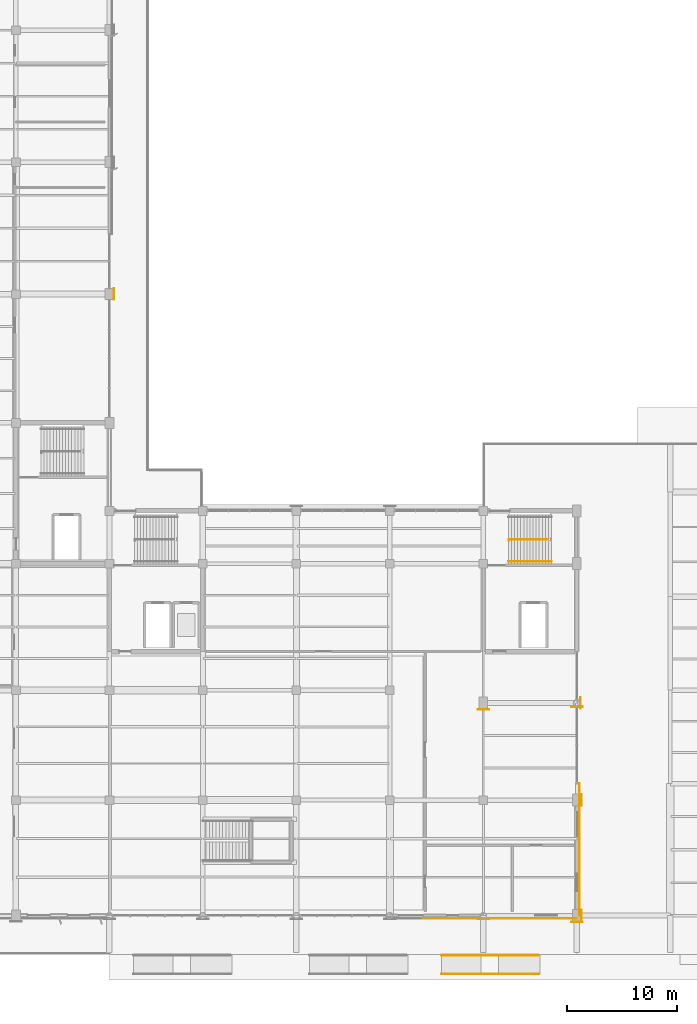
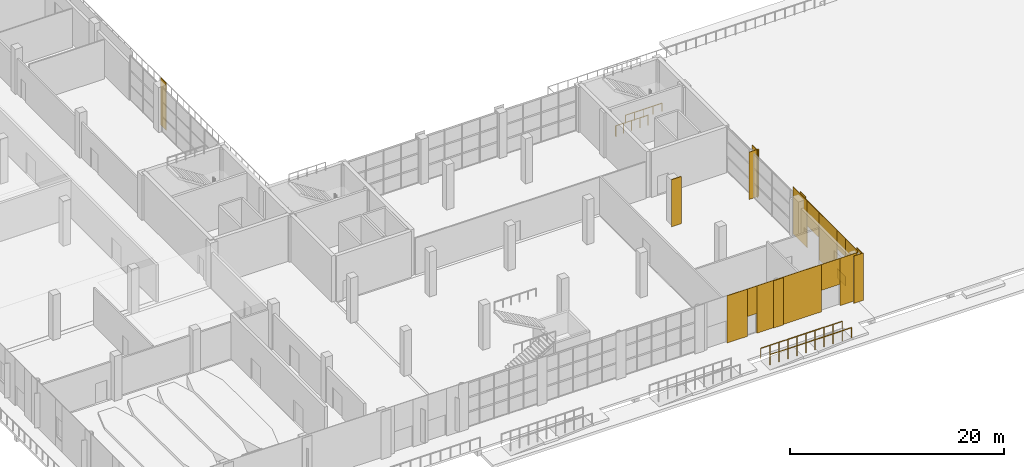
# One storey, part 80 of 90: 19 coverings, 4 railings.
"""IFC4 building model written with IfcOpenShell, lengths in metres."""

from ifc_helpers import new_model, si_unit, direction, frame, origin, origin_2d, place, context, subcontext, project, spatial, rectangle, circle, extrude, material, layer, layer_set, type_object, element, save


model = new_model("IFC4")

# Units and contexts
model_context = context("Model", 3, precision=1e-05, world=origin(), true_north=direction((0.0, 1.0)))
body_context = subcontext(model_context, "Body", "Model", "MODEL_VIEW")
ifc_project = project(units=[si_unit("LENGTHUNIT", "METRE"), si_unit("AREAUNIT", "SQUARE_METRE"), si_unit("VOLUMEUNIT", "CUBIC_METRE"), si_unit("PLANEANGLEUNIT", "RADIAN"), si_unit("MASSUNIT", "GRAM", prefix="KILO")], contexts=[model_context])

# Site, building, storey
site_placement = place(None, origin())
site = spatial("IfcSite", under=ifc_project, at=site_placement, CompositionType="ELEMENT")
building_placement = place(site_placement, origin())
building = spatial("IfcBuilding", under=site, at=building_placement, Name="Solvikara Media Centre", CompositionType="ELEMENT")
storey_placement = place(building_placement, origin())
storey = spatial("IfcBuildingStorey", under=building, at=storey_placement, Name="L00", CompositionType="ELEMENT", Elevation=0.0)

# Coverings
ifc_material_1 = material(Name="GFRC white mineral architectural rainscreen panel")
ifc_layer = layer(ifc_material_1, 0.050048828125)
ifc_layer_set = layer_set([ifc_layer], Name="GFRC white mineral architectural rainscreen panel")
covering_type = type_object("IfcCoveringType", Name="CV-04", PredefinedType="CLADDING", material=ifc_layer_set)
for number, where, z_axis, x_axis, name in (
    (1, (34.425048828125, 56.5, 0.0), (0.0, 0.0, 1.0), (0.0, 1.0, 0.0), "PIL-L00-069"),
    (2, (68.0, -0.304931640625, 0.0), (0.0, 0.0, 1.0), (1.0, 0.0, 0.0), "PIL-L00-139"),
    (3, (76.925048828125, 0.0, 0.0), (0.0, 0.0, 1.0), (0.0, 1.0, 0.0), "PIL-L00-151"),
    (4, (76.5, -0.574951171875, 0.0), (0.0, 0.0, 1.0), (1.0, 0.0, 0.0), "PIL-L00-152"),
    (5, (76.925048828125, 10.5, 0.0), (0.0, 0.0, 1.0), (0.0, 1.0, 0.0), "PIL-L00-157"),
    (6, (68.0, 18.7490234375, 0.0), (0.0, 0.0, 1.0), (1.0, 0.0, 0.0), "PIL-L00-160"),
    (7, (76.830078125, 19.323974609375, 0.0), (0.0, 0.0, 1.0), (0.0, 1.0, 0.0), "PIL-L00-171"),
    (8, (76.5, 18.993896484375, 0.0), (0.0, 0.0, 1.0), (1.0, 0.0, 0.0), "PIL-L00-172"),
):
    element("IfcCovering", number, at=place(storey_placement, frame(where, z_axis=z_axis, x_axis=x_axis)), inside=storey, type_object=covering_type, Name=name, PredefinedType="CLADDING", context=body_context, shape_type="SweptSolid", body=[
        extrude(rectangle(XDim=1.0400390625, YDim=0.050048828125, at=origin_2d()), origin(), (0.0, 0.0, 1.0), 5.39990234375),
    ])
covering_1_placement = place(storey_placement, frame((63.60009765625, -0.2451171875, 0.0), z_axis=(0.0, 0.0, 1.0), x_axis=(1.0, 0.0, 0.0)))
element("IfcCovering", 9, at=covering_1_placement, inside=storey, type_object=covering_type, Name="L00-V6SE-CV-F03", PredefinedType="CLADDING", context=body_context, shape_type="SweptSolid", body=[
    extrude(rectangle(XDim=2.199951171875, YDim=0.050048828125, at=origin_2d()), origin(), (0.0, 0.0, 1.0), 5.39990234375),
])
covering_2_placement = place(storey_placement, frame((65.199951171875, -0.2451171875, 2.25), z_axis=(0.0, 0.0, 1.0), x_axis=(1.0, 0.0, 0.0)))
element("IfcCovering", 10, at=covering_2_placement, inside=storey, type_object=covering_type, Name="L00-V6SE-CV-D04", PredefinedType="CLADDING", context=body_context, shape_type="SweptSolid", body=[
    extrude(rectangle(XDim=1.0, YDim=0.050048828125, at=origin_2d()), origin(), (0.0, 0.0, 1.0), 3.14990234375),
])
covering_3_placement = place(storey_placement, frame((69.199951171875, -0.2451171875, 0.0), z_axis=(0.0, 0.0, 1.0), x_axis=(1.0, 0.0, 0.0)))
element("IfcCovering", 11, at=covering_3_placement, inside=storey, type_object=covering_type, Name="L00-V6SE-CV-F05", PredefinedType="CLADDING", context=body_context, shape_type="SweptSolid", body=[
    extrude(rectangle(XDim=7.0, YDim=0.050048828125, at=origin_2d()), origin(), (0.0, 0.0, 1.0), 5.39990234375),
])
covering_4_placement = place(storey_placement, frame((73.699951171875, -0.2451171875, 2.4501953125), z_axis=(0.0, 0.0, 1.0), x_axis=(1.0, 0.0, 0.0)))
element("IfcCovering", 12, at=covering_4_placement, inside=storey, type_object=covering_type, Name="L00-V6SE-CV-D06", PredefinedType="CLADDING", context=body_context, shape_type="SweptSolid", body=[
    extrude(rectangle(XDim=2.0, YDim=0.050048828125, at=origin_2d()), origin(), (0.0, 0.0, 1.0), 2.949951171875),
])
covering_5_placement = place(storey_placement, frame((75.60009765625, -0.2451171875, 0.0), z_axis=(0.0, 0.0, 1.0), x_axis=(1.0, 0.0, 0.0)))
element("IfcCovering", 13, at=covering_5_placement, inside=storey, type_object=covering_type, Name="L00-V6SE-CV-F07", PredefinedType="CLADDING", context=body_context, shape_type="SweptSolid", body=[
    extrude(rectangle(XDim=1.800048828125, YDim=0.050048828125, at=origin_2d()), origin(), (0.0, 0.0, 1.0), 5.39990234375),
])
covering_6_placement = place(storey_placement, frame((76.7451171875, 1.10693359375, 0.0), z_axis=(0.0, 0.0, 1.0), x_axis=(0.0, 1.0, 0.0)))
element("IfcCovering", 14, at=covering_6_placement, inside=storey, type_object=covering_type, Name="L00-V6E-CV-F01", PredefinedType="CLADDING", context=body_context, shape_type="SweptSolid", body=[
    extrude(rectangle(XDim=2.215087890625, YDim=0.050048828125, at=origin_2d()), origin(), (0.0, 0.0, 1.0), 5.39990234375),
])
covering_7_placement = place(storey_placement, frame((76.7451171875, 3.014892578125, 0.0), z_axis=(0.0, 0.0, 1.0), x_axis=(0.0, 1.0, 0.0)))
element("IfcCovering", 15, at=covering_7_placement, inside=storey, type_object=covering_type, Name="L00-V6E-CV-S02", PredefinedType="CLADDING", context=body_context, shape_type="SweptSolid", body=[
    extrude(rectangle(XDim=1.60009765625, YDim=0.050048828125, at=origin_2d()), origin(), (0.0, 0.0, 1.0), 1.070068359375),
])
covering_8_placement = place(storey_placement, frame((76.7451171875, 3.014892578125, 3.330078125), z_axis=(0.0, 0.0, 1.0), x_axis=(0.0, 1.0, 0.0)))
element("IfcCovering", 16, at=covering_8_placement, inside=storey, type_object=covering_type, Name="L00-V6E-CV-H02", PredefinedType="CLADDING", context=body_context, shape_type="SweptSolid", body=[
    extrude(rectangle(XDim=1.60009765625, YDim=0.050048828125, at=origin_2d()), origin(), (0.0, 0.0, 1.0), 2.070068359375),
])
covering_9_placement = place(storey_placement, frame((76.7451171875, 5.508056640625, 0.0), z_axis=(0.0, 0.0, 1.0), x_axis=(0.0, 1.0, 0.0)))
element("IfcCovering", 17, at=covering_9_placement, inside=storey, type_object=covering_type, Name="L00-V6E-CV-F03", PredefinedType="CLADDING", context=body_context, shape_type="SweptSolid", body=[
    extrude(rectangle(XDim=3.385009765625, YDim=0.050048828125, at=origin_2d()), origin(), (0.0, 0.0, 1.0), 5.39990234375),
])
covering_10_placement = place(storey_placement, frame((76.7451171875, 8.300048828125, 2.550048828125), z_axis=(0.0, 0.0, 1.0), x_axis=(0.0, 1.0, 0.0)))
element("IfcCovering", 18, at=covering_10_placement, inside=storey, type_object=covering_type, Name="L00-V6E-CV-D04", PredefinedType="CLADDING", context=body_context, shape_type="SweptSolid", body=[
    extrude(rectangle(XDim=2.199951171875, YDim=0.050048828125, at=origin_2d()), origin(), (0.0, 0.0, 1.0), 2.85009765625),
])
covering_11_placement = place(storey_placement, frame((76.7451171875, 10.72998046875, 0.0), z_axis=(0.0, 0.0, 1.0), x_axis=(0.0, 1.0, 0.0)))
element("IfcCovering", 19, at=covering_11_placement, inside=storey, type_object=covering_type, Name="L00-V6E-CV-F05", PredefinedType="CLADDING", context=body_context, shape_type="SweptSolid", body=[
    extrude(rectangle(XDim=2.659912109375, YDim=0.050048828125, at=origin_2d()), origin(), (0.0, 0.0, 1.0), 5.39990234375),
])

# Railings
ifc_material_2 = material(Name="Steel S355JR", Category="steel")
railing_type_1 = type_object("IfcRailingType", Name="GR-01", PredefinedType="GUARDRAIL", material=ifc_material_2)
for number, where, name in (
    (20, (64.199951171875, -5.300048828125, 0.0), "RHR-03-S"),
    (21, (64.199951171875, -3.60009765625, -0.300048828125), "RHR-03-N"),
):
    element("IfcRailing", number, at=place(storey_placement, frame(where)), inside=storey, type_object=railing_type_1, Name=name, PredefinedType="GUARDRAIL", context=body_context, shape_type="SweptSolid", body=[
        extrude(circle(Radius=0.02392578125, at=origin_2d()), frame((0.0, 0.0, 1.1259765625), z_axis=(1.0, 0.0, 0.0), x_axis=(0.0, 1.0, 0.0)), (0.0, 0.0, 1.0), 8.800048828125),
        extrude(circle(Radius=0.02099609375, at=origin_2d()), origin(), (0.0, 0.0, 1.0), 1.101806640625),
        extrude(circle(Radius=0.02099609375, at=origin_2d()), frame((0.977783203125, 0.0, 0.0)), (0.0, 0.0, 1.0), 1.101806640625),
        extrude(circle(Radius=0.02099609375, at=origin_2d()), frame((1.95556640625, 0.0, 0.0)), (0.0, 0.0, 1.0), 1.101806640625),
        extrude(circle(Radius=0.02099609375, at=origin_2d()), frame((2.933349609375, 0.0, 0.0)), (0.0, 0.0, 1.0), 1.101806640625),
        extrude(circle(Radius=0.02099609375, at=origin_2d()), frame((3.9111328125, 0.0, 0.0)), (0.0, 0.0, 1.0), 1.101806640625),
        extrude(circle(Radius=0.02099609375, at=origin_2d()), frame((4.888916015625, 0.0, 0.0)), (0.0, 0.0, 1.0), 1.101806640625),
        extrude(circle(Radius=0.02099609375, at=origin_2d()), frame((5.86669921875, 0.0, 0.0)), (0.0, 0.0, 1.0), 1.101806640625),
        extrude(circle(Radius=0.02099609375, at=origin_2d()), frame((6.844482421875, 0.0, 0.0)), (0.0, 0.0, 1.0), 1.101806640625),
        extrude(circle(Radius=0.02099609375, at=origin_2d()), frame((7.822265625, 0.0, 0.0)), (0.0, 0.0, 1.0), 1.101806640625),
        extrude(circle(Radius=0.02099609375, at=origin_2d()), frame((8.800048828125, 0.0, 0.0)), (0.0, 0.0, 1.0), 1.101806640625),
    ])
railing_1_placement = place(storey_placement, frame((70.340087890625, 34.10009765625, 0.0)))
element("IfcRailing", 22, at=railing_1_placement, inside=storey, type_object=railing_type_1, Name="GR-C3-B01-W", PredefinedType="GUARDRAIL", context=body_context, shape_type="SweptSolid", body=[
    extrude(circle(Radius=0.02392578125, at=origin_2d()), frame((0.0, 0.0, 1.1259765625), z_axis=(0.0, 1.0, 0.0), x_axis=(-1.0, 0.0, 0.0)), (0.0, 0.0, 1.0), 0.119873046875),
    extrude(circle(Radius=0.02392578125, at=origin_2d()), frame((0.0, 0.119873046875, 1.1259765625), z_axis=(1.0, 0.0, 0.0), x_axis=(0.0, 1.0, 0.0)), (0.0, 0.0, 1.0), 3.52001953125),
    extrude(circle(Radius=0.02099609375, at=origin_2d()), origin(), (0.0, 0.0, 1.0), 1.101806640625),
    extrude(circle(Radius=0.02099609375, at=origin_2d()), frame((0.0, 0.119873046875, 0.0)), (0.0, 0.0, 1.0), 1.101806640625),
    extrude(circle(Radius=0.02099609375, at=origin_2d()), frame((0.8798828125, 0.119873046875, 0.0)), (0.0, 0.0, 1.0), 1.101806640625),
    extrude(circle(Radius=0.02099609375, at=origin_2d()), frame((1.760009765625, 0.119873046875, 0.0)), (0.0, 0.0, 1.0), 1.101806640625),
    extrude(circle(Radius=0.02099609375, at=origin_2d()), frame((2.64013671875, 0.119873046875, 0.0)), (0.0, 0.0, 1.0), 1.101806640625),
    extrude(circle(Radius=0.02099609375, at=origin_2d()), frame((3.52001953125, 0.119873046875, 0.0)), (0.0, 0.0, 1.0), 1.101806640625),
])
railing_type_2 = type_object("IfcRailingType", Name="HR-01", PredefinedType="HANDRAIL", material=ifc_material_2)
railing_2_placement = place(storey_placement, frame((70.280029296875, 32.199951171875, 2.699951171875)))
element("IfcRailing", 23, at=railing_2_placement, inside=storey, type_object=railing_type_2, Name="HR-C3-L00-1", PredefinedType="HANDRAIL", context=body_context, shape_type="SweptSolid", body=[
    extrude(circle(Radius=0.02392578125, at=origin_2d()), frame((0.0, 0.0, 0.89599609375), z_axis=(1.0, 0.0, 0.0), x_axis=(0.0, 1.0, 0.0)), (0.0, 0.0, 1.0), 3.919921875),
    extrude(circle(Radius=0.02099609375, at=origin_2d()), origin(), (0.0, 0.0, 1.0), 0.871826171875),
    extrude(circle(Radius=0.02099609375, at=origin_2d()), frame((0.97998046875, 0.0, 0.0)), (0.0, 0.0, 1.0), 0.871826171875),
    extrude(circle(Radius=0.02099609375, at=origin_2d()), frame((1.9599609375, 0.0, 0.0)), (0.0, 0.0, 1.0), 0.871826171875),
    extrude(circle(Radius=0.02099609375, at=origin_2d()), frame((2.93994140625, 0.0, 0.0)), (0.0, 0.0, 1.0), 0.871826171875),
    extrude(circle(Radius=0.02099609375, at=origin_2d()), frame((3.919921875, 0.0, 0.0)), (0.0, 0.0, 1.0), 0.871826171875),
])

save(model, "model.ifc")
